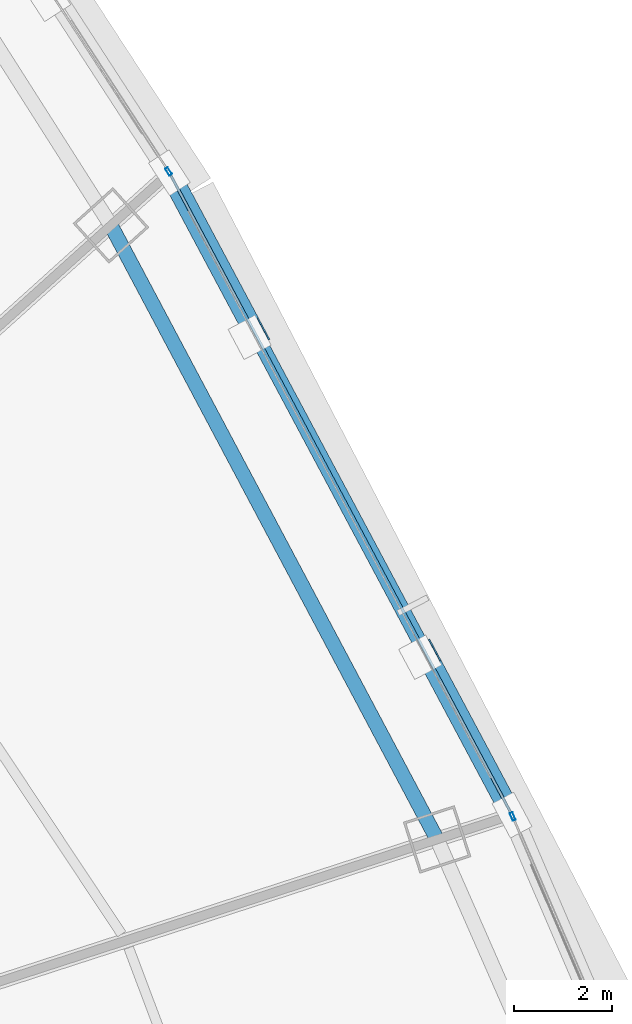
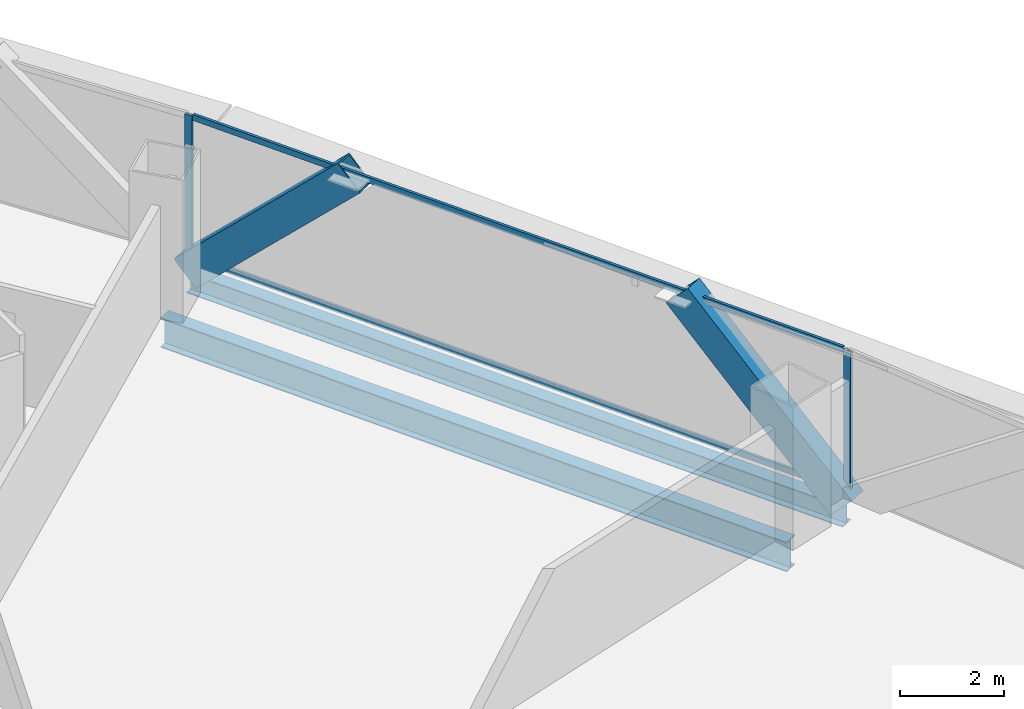
# One storey, part 25 of 42: 6 members, 2 beams, 3 elements without a shape of their own.
"""IFC4 building model written with IfcOpenShell, lengths in metres."""

from ifc_helpers import new_model, si_unit, direction, frame, origin, origin_2d, place, context, subcontext, project, spatial, hollow_rectangle, i_section, extrude, source, transform, mapped, material, layer, layer_set, material_profile, profile_set, type_object, element, aggregate, save


model = new_model("IFC4")

# Units and contexts
model_context = context("Model", 3, precision=1e-05, world=origin(), true_north=direction((0.0, 1.0)))
body_context = subcontext(model_context, "Body", "Model", "MODEL_VIEW")
ifc_project = project(units=[si_unit("LENGTHUNIT", "METRE"), si_unit("AREAUNIT", "SQUARE_METRE"), si_unit("VOLUMEUNIT", "CUBIC_METRE"), si_unit("PLANEANGLEUNIT", "RADIAN"), si_unit("MASSUNIT", "GRAM", prefix="KILO"), si_unit("THERMODYNAMICTEMPERATUREUNIT", "KELVIN"), si_unit("POWERUNIT", "WATT")], contexts=[model_context])

# Site, building, storey
site_placement = place(None, origin())
site = spatial("IfcSite", under=ifc_project, at=site_placement, CompositionType="ELEMENT")
building_placement = place(site_placement, origin())
building = spatial("IfcBuilding", under=site, at=building_placement, Name="Yunzhuo Pagoda Commons", CompositionType="ELEMENT")
storey_placement = place(building_placement, frame((0.0, 0.0, 48.550048828125)))
storey = spatial("IfcBuildingStorey", under=building, at=storey_placement, Name="L12", CompositionType="ELEMENT", Elevation=48.550048828125)

# Beams
ifc_material_1 = material(Name="Structural steel Q355B", Category="steel")
ifc_material_profile_1 = material_profile(ifc_material_1, i_section(OverallWidth=0.300048828125, OverallDepth=0.699951171875, WebThickness=0.012939453125, FlangeThickness=0.02392578125, at=origin_2d()), Name="Structural steel Q355B")
ifc_profile_set_1 = profile_set([ifc_material_profile_1], Name="Structural steel Q355B")
beam_type_1 = type_object("IfcBeamType", Name="B-RG1 Beam HN 700x300x13x24", PredefinedType="BEAM", material=ifc_profile_set_1)
shared_shape_1 = source(origin(), body_context, "Body", "SweptSolid", [
    extrude(i_section(OverallWidth=0.300048828125, OverallDepth=0.699951171875, WebThickness=0.012939453125, FlangeThickness=0.02392578125, at=origin_2d()), origin(), (0.0, 0.0, 1.0), 14.25390625),
])
beam_1_placement = place(storey_placement, frame((80.33544921875, 44.206298828125, -0.610107421875), z_axis=(-0.469118073628, 0.883135455633, 0.0), x_axis=(-0.883135455633, -0.469118073628, 0.0)))
element("IfcBeam", 1, at=beam_1_placement, inside=storey, type_object=beam_type_1, Name="L12 column-ring beam 6", PredefinedType="BEAM", context=body_context, shape_type="MappedRepresentation", body=[
    mapped(shared_shape_1, transform((0.0, 0.0, 0.0), scale=1.0)),
])
ifc_material_profile_2 = material_profile(ifc_material_1, i_section(OverallWidth=0.300048828125, OverallDepth=0.488037109375, WebThickness=0.010986328125, FlangeThickness=0.01806640625, at=origin_2d()), Name="Structural steel Q355B")
ifc_profile_set_2 = profile_set([ifc_material_profile_2], Name="Structural steel Q355B")
beam_type_2 = type_object("IfcBeamType", Name="B-SP1 Beam HM 488x300x11x18", PredefinedType="BEAM", material=ifc_profile_set_2)
shared_shape_2 = source(origin(), body_context, "Body", "SweptSolid", [
    extrude(i_section(OverallWidth=0.300048828125, OverallDepth=0.488037109375, WebThickness=0.010986328125, FlangeThickness=0.01806640625, at=origin_2d()), origin(), (0.0, 0.0, 1.0), 14.924072265625),
])
beam_2_placement = place(storey_placement, frame((81.87158203125, 44.70556640625, -0.504150390625), z_axis=(-0.470660405107, 0.882314446819, 0.0), x_axis=(-0.882314446819, -0.470660405107, 0.0)))
element("IfcBeam", 2, at=beam_2_placement, inside=storey, type_object=beam_type_2, Name="L12 facade edge spandrel beam F2.2", PredefinedType="BEAM", context=body_context, shape_type="MappedRepresentation", body=[
    mapped(shared_shape_2, transform((0.0, 0.0, 0.0), scale=1.0)),
])

# Members
ifc_material_2 = material(Name="Structural steel Q420B", Category="steel")
ifc_material_profile_3 = material_profile(ifc_material_2, hollow_rectangle(XDim=0.419921875, YDim=0.719970703125, WallThickness=0.028076171875, at=origin_2d()), Name="Structural steel Q420B")
ifc_profile_set_3 = profile_set([ifc_material_profile_3], Name="Structural steel Q420B")
member_type_1 = type_object("IfcMemberType", Name="M-DL1 Brace BOX 720x420x28", PredefinedType="BRACE", material=ifc_profile_set_3)
shared_shape_3 = source(origin(), body_context, "Body", "SweptSolid", [
    extrude(hollow_rectangle(XDim=0.419921875, YDim=0.719970703125, WallThickness=0.028076171875, at=origin_2d()), origin(), (0.0, 0.0, 1.0), 5.20556640625),
])
member_1_placement = place(storey_placement, frame((74.847412109375, 57.873291015625, -0.260009765625), z_axis=(0.337355825216, -0.632407333131, 0.697317726861), x_axis=(0.882311277354, 0.470666346634, 0.0)))
element("IfcMember", 3, at=member_1_placement, inside=storey, type_object=member_type_1, Name="L12 facade diamond brace F2.2R", PredefinedType="BRACE", context=body_context, shape_type="MappedRepresentation", body=[
    mapped(shared_shape_3, transform((0.0, 0.0, 0.0), scale=1.0)),
])
shared_shape_4 = source(origin(), body_context, "Body", "SweptSolid", [
    extrude(hollow_rectangle(XDim=0.419921875, YDim=0.719970703125, WallThickness=0.028076171875, at=origin_2d()), origin(), (0.0, 0.0, 1.0), 5.205322265625),
])
member_2_placement = place(storey_placement, frame((81.87158203125, 44.70556640625, -0.260009765625), z_axis=(-0.337314261361, 0.632417338737, 0.697328759444), x_axis=(-0.88233844975, -0.470615405711, 0.0)))
element("IfcMember", 4, at=member_2_placement, inside=storey, type_object=member_type_1, Name="L12 facade diamond brace F2.2L", PredefinedType="BRACE", context=body_context, shape_type="MappedRepresentation", body=[
    mapped(shared_shape_4, transform((0.0, 0.0, 0.0), scale=1.0)),
])

# Curtain wall, member
ifc_material_3 = material(Name="Anodized aluminium 6063-T6", Category="aluminium")
ifc_layer = layer(ifc_material_3, 0.1650390625)
ifc_layer_set = layer_set([ifc_layer], Name="Anodized aluminium 6063-T6")
curtain_wall_type = type_object("IfcCurtainWallType", Name="CW-LOW Low-Zone Ribbon Curtain Wall", PredefinedType="NOTDEFINED", material=ifc_layer_set)
curtain_wall_1_placement = place(storey_placement, origin())
curtain_wall_1 = element("IfcCurtainWall", 5, at=curtain_wall_1_placement, inside=storey, type_object=curtain_wall_type, Name="L12 curtain wall CW-L12-F2B2", PredefinedType="NOTDEFINED")
ifc_material_profile_4 = material_profile(ifc_material_3, hollow_rectangle(XDim=0.06494140625, YDim=0.1650390625, WallThickness=0.00390625, at=origin_2d()), Name="Anodized aluminium 6063-T6")
ifc_profile_set_4 = profile_set([ifc_material_profile_4], Name="Anodized aluminium 6063-T6")
member_type_2 = type_object("IfcMemberType", Name="CW-LOW-M Mullion RHS 165x65x4", PredefinedType="MULLION", material=ifc_profile_set_4)
shared_shape_5 = source(origin(), body_context, "Body", "SweptSolid", [
    extrude(hollow_rectangle(XDim=0.06494140625, YDim=0.1650390625, WallThickness=0.00390625, at=origin_2d()), origin(), (0.0, 0.0, 1.0), 3.369873046875),
])
member_3_placement = place(storey_placement, frame((81.884765625, 44.67578125, 0.0), z_axis=(0.0, 0.0, 1.0), x_axis=(-0.918865619656, -0.394570618538, 0.0)))
member_3 = element("IfcMember", 6, at=member_3_placement, type_object=member_type_2, Name="CW mullion 2", PredefinedType="MULLION", context=body_context, shape_type="MappedRepresentation", body=[
    mapped(shared_shape_5, transform((0.0, 0.0, 0.0), scale=1.0)),
])
aggregate(curtain_wall_1, [member_3])

curtain_wall_2_placement = place(storey_placement, origin())
curtain_wall_2 = element("IfcCurtainWall", 7, at=curtain_wall_2_placement, inside=storey, type_object=curtain_wall_type, Name="L12 curtain wall CW-L12-F2B4", PredefinedType="NOTDEFINED")
member_4_placement = place(storey_placement, frame((74.82958984375, 57.900634765625, 0.0), z_axis=(0.0, 0.0, 1.0), x_axis=(-0.838709783089, -0.54457864423, 0.0)))
member_4 = element("IfcMember", 8, at=member_4_placement, type_object=member_type_2, Name="CW mullion 1", PredefinedType="MULLION", context=body_context, shape_type="MappedRepresentation", body=[
    mapped(shared_shape_5, transform((0.0, 0.0, 0.0), scale=1.0)),
])
aggregate(curtain_wall_2, [member_4])

# Curtain wall, members
curtain_wall_3_placement = place(storey_placement, origin())
curtain_wall_3 = element("IfcCurtainWall", 9, at=curtain_wall_3_placement, inside=storey, type_object=curtain_wall_type, Name="L12 curtain wall CW-L12-F2B3", PredefinedType="NOTDEFINED")
ifc_material_profile_5 = material_profile(ifc_material_3, hollow_rectangle(XDim=0.06005859375, YDim=0.139892578125, WallThickness=0.00341796875, at=origin_2d()), Name="Anodized aluminium 6063-T6")
ifc_profile_set_5 = profile_set([ifc_material_profile_5], Name="Anodized aluminium 6063-T6")
member_type_3 = type_object("IfcMemberType", Name="CW-LOW-T Transom RHS 140x60x3.5", PredefinedType="USERDEFINED", material=ifc_profile_set_5)
shared_shape_6 = source(origin(), body_context, "Body", "SweptSolid", [
    extrude(hollow_rectangle(XDim=0.06005859375, YDim=0.139892578125, WallThickness=0.00341796875, at=origin_2d()), origin(), (0.0, 0.0, 1.0), 14.794189453125),
])
member_5_placement = place(storey_placement, frame((81.84130859375, 44.76318359375, 0.030029296875), z_axis=(-0.470682450666, 0.882302686517, 0.0), x_axis=(-0.882302686517, -0.470682450666, 0.0)))
member_5 = element("IfcMember", 10, at=member_5_placement, type_object=member_type_3, Name="CW transom 1.1", ObjectType="TRANSOM", PredefinedType="USERDEFINED", context=body_context, shape_type="MappedRepresentation", body=[
    mapped(shared_shape_6, transform((0.0, 0.0, 0.0), scale=1.0)),
])
member_6_placement = place(storey_placement, frame((81.84130859375, 44.76318359375, 3.33984375), z_axis=(-0.470682450666, 0.882302686517, 0.0), x_axis=(-0.882302686517, -0.470682450666, 0.0)))
member_6 = element("IfcMember", 11, at=member_6_placement, type_object=member_type_3, Name="CW transom 1.2", ObjectType="TRANSOM", PredefinedType="USERDEFINED", context=body_context, shape_type="MappedRepresentation", body=[
    mapped(shared_shape_6, transform((0.0, 0.0, 0.0), scale=1.0)),
])
aggregate(curtain_wall_3, [member_5, member_6])

save(model, "model.ifc")
